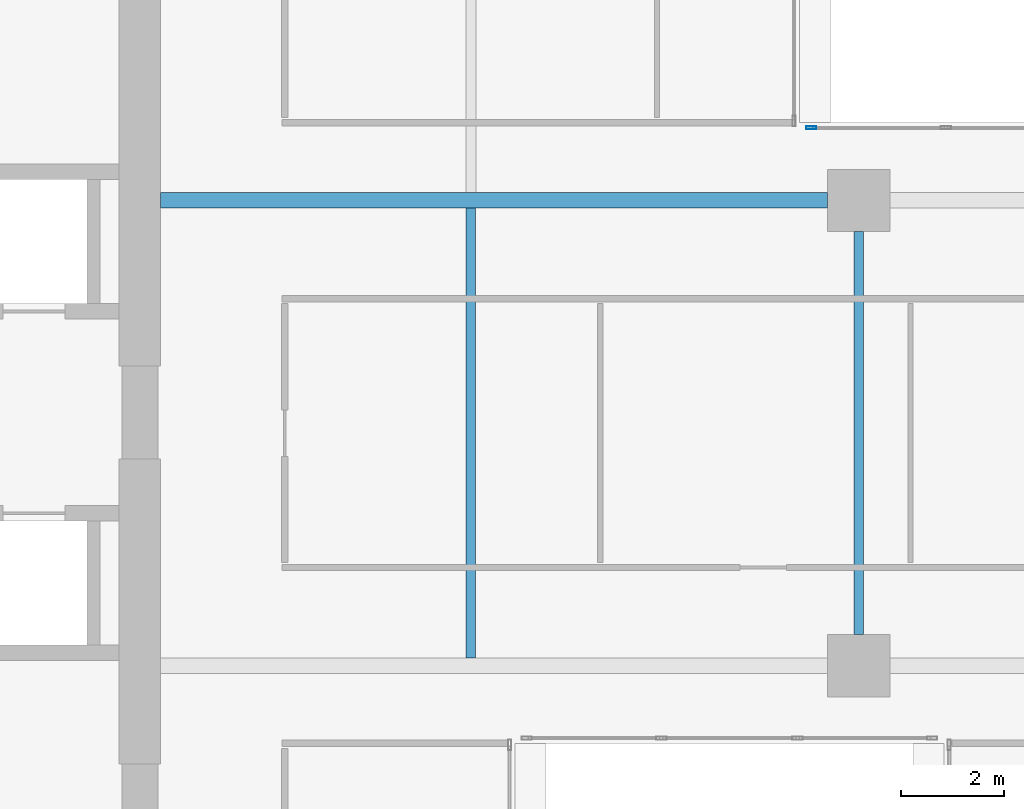
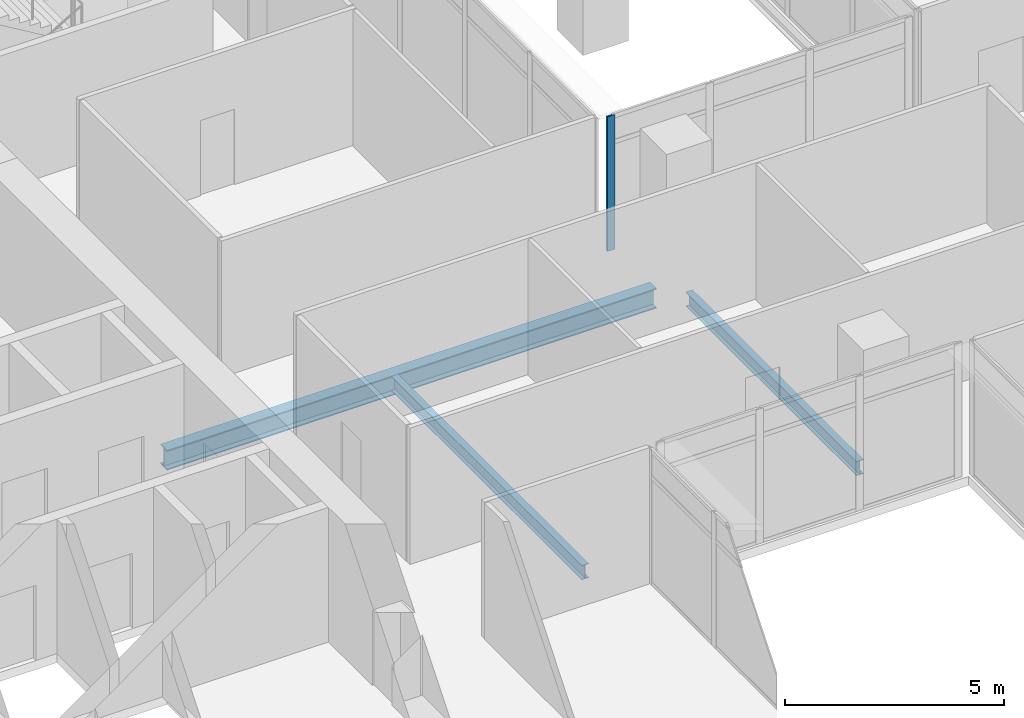
# One storey, part 8 of 40: 3 beams, 1 member, 1 element without a shape of its own.
"""IFC4 building model written with IfcOpenShell, lengths in metres."""

from ifc_helpers import new_model, si_unit, direction, frame, origin, origin_2d, place, context, subcontext, project, spatial, hollow_rectangle, i_section, extrude, source, transform, mapped, material, material_profile, profile_set, type_object, element, aggregate, save


model = new_model("IFC4")

# Units and contexts
model_context = context("Model", 3, precision=1e-05, world=origin(), true_north=direction((0.0, 1.0)))
body_context = subcontext(model_context, "Body", "Model", "MODEL_VIEW")
ifc_project = project(units=[si_unit("LENGTHUNIT", "METRE"), si_unit("AREAUNIT", "SQUARE_METRE"), si_unit("VOLUMEUNIT", "CUBIC_METRE"), si_unit("PLANEANGLEUNIT", "RADIAN"), si_unit("MASSUNIT", "GRAM", prefix="KILO")], contexts=[model_context])

# Site, building, storey
site_placement = place(None, origin())
site = spatial("IfcSite", under=ifc_project, at=site_placement, CompositionType="ELEMENT")
building_placement = place(site_placement, origin())
building = spatial("IfcBuilding", under=site, at=building_placement, Name="Khomas Fold Tower", CompositionType="ELEMENT")
storey_placement = place(building_placement, frame((0.0, 0.0, 180.699951171875)))
storey = spatial("IfcBuildingStorey", under=building, at=storey_placement, Name="L39", CompositionType="ELEMENT", Elevation=180.699951171875)

# Beams
ifc_material_1 = material(Name="Steel S355", Category="steel")
ifc_material_profile_1 = material_profile(ifc_material_1, i_section(OverallWidth=0.179931640625, OverallDepth=0.39990234375, WebThickness=0.008544921875, FlangeThickness=0.013427734375, at=origin_2d()), Name="IPE 400")
ifc_profile_set_1 = profile_set([ifc_material_profile_1], Name="Steel S355")
beam_type_1 = type_object("IfcBeamType", Name="IPE 400 beam JB3", PredefinedType="BEAM", material=ifc_profile_set_1)
shared_shape_1 = source(origin(), body_context, "Body", "SweptSolid", [
    extrude(i_section(OverallWidth=0.179931640625, OverallDepth=0.39990234375, WebThickness=0.008544921875, FlangeThickness=0.013427734375, at=origin_2d()), origin(), (0.0, 0.0, 1.0), 8.7001953125),
])
beam_1_placement = place(storey_placement, frame((27.0, 22.64990234375, -0.449951171875), z_axis=(0.0, 1.0, 0.0), x_axis=(-1.0, 0.0, 0.0)))
element("IfcBeam", 1, at=beam_1_placement, inside=storey, type_object=beam_type_1, Name="JB3", PredefinedType="BEAM", context=body_context, shape_type="MappedRepresentation", body=[
    mapped(shared_shape_1, transform((0.0, 0.0, 0.0))),
])
ifc_material_2 = material(Name="Steel S355", Category="steel")
ifc_material_profile_2 = material_profile(ifc_material_2, i_section(OverallWidth=0.300048828125, OverallDepth=0.550048828125, WebThickness=0.014892578125, FlangeThickness=0.029052734375, at=origin_2d()), Name="HE 550 B")
ifc_profile_set_2 = profile_set([ifc_material_profile_2], Name="Steel S355")
beam_type_2 = type_object("IfcBeamType", Name="HE 550 B beam GB4", PredefinedType="BEAM", material=ifc_profile_set_2)
shared_shape_2 = source(origin(), body_context, "Body", "SweptSolid", [
    extrude(i_section(OverallWidth=0.300048828125, OverallDepth=0.550048828125, WebThickness=0.014892578125, FlangeThickness=0.029052734375, at=origin_2d()), origin(), (0.0, 0.0, 1.0), 12.89990234375),
])
beam_2_placement = place(storey_placement, frame((21.0, 31.5, -0.52490234375), z_axis=(1.0, 0.0, 0.0), x_axis=(0.0, 1.0, 0.0)))
element("IfcBeam", 2, at=beam_2_placement, inside=storey, type_object=beam_type_2, Name="GB4", PredefinedType="BEAM", context=body_context, shape_type="MappedRepresentation", body=[
    mapped(shared_shape_2, transform((0.0, 0.0, 0.0))),
])
shared_shape_3 = source(origin(), body_context, "Body", "SweptSolid", [
    extrude(i_section(OverallWidth=0.179931640625, OverallDepth=0.39990234375, WebThickness=0.008544921875, FlangeThickness=0.013427734375, at=origin_2d()), origin(), (0.0, 0.0, 1.0), 7.7998046875),
])
beam_3_placement = place(storey_placement, frame((34.5, 23.10009765625, -0.449951171875), z_axis=(0.0, 1.0, 0.0), x_axis=(-1.0, 0.0, 0.0)))
element("IfcBeam", 3, at=beam_3_placement, inside=storey, type_object=beam_type_1, Name="JB3", PredefinedType="BEAM", context=body_context, shape_type="MappedRepresentation", body=[
    mapped(shared_shape_3, transform((0.0, 0.0, 0.0))),
])

# Curtain wall, member
ifc_material_3 = material(Name="Aluminium framed double glazing", Category="aluminium")
curtain_wall_type = type_object("IfcCurtainWallType", Name="Notch glazing GN-CW", PredefinedType="NOTDEFINED", material=ifc_material_3)
curtain_wall_placement = place(storey_placement, origin())
curtain_wall = element("IfcCurtainWall", 4, at=curtain_wall_placement, inside=storey, type_object=curtain_wall_type, Name="Notch glazing run", PredefinedType="NOTDEFINED")
ifc_material_4 = material(Name="Aluminium", Category="aluminium")
ifc_material_profile_3 = material_profile(ifc_material_4, hollow_rectangle(XDim=0.06005859375, YDim=0.199951171875, WallThickness=0.00390625, at=origin_2d()), Name="Notch glazing mullion GN-CW-M")
ifc_profile_set_3 = profile_set([ifc_material_profile_3], Name="Aluminium")
member_type = type_object("IfcMemberType", Name="Notch glazing mullion GN-CW-M", PredefinedType="MULLION", material=ifc_profile_set_3)
shared_shape_4 = source(origin(), body_context, "Body", "SweptSolid", [
    extrude(hollow_rectangle(XDim=0.06005859375, YDim=0.199951171875, WallThickness=0.00390625, at=origin_2d()), origin(), (0.0, 0.0, 1.0), 3.75),
])
member_placement = place(storey_placement, frame((33.580078125, 32.89990234375, 0.0), z_axis=(0.0, 0.0, 1.0), x_axis=(0.0, -1.0, 0.0)))
member = element("IfcMember", 5, at=member_placement, type_object=member_type, Name="GN-CW mullion 4", PredefinedType="MULLION", context=body_context, shape_type="MappedRepresentation", body=[
    mapped(shared_shape_4, transform((0.0, 0.0, 0.0))),
])
aggregate(curtain_wall, [member])

save(model, "model.ifc")
